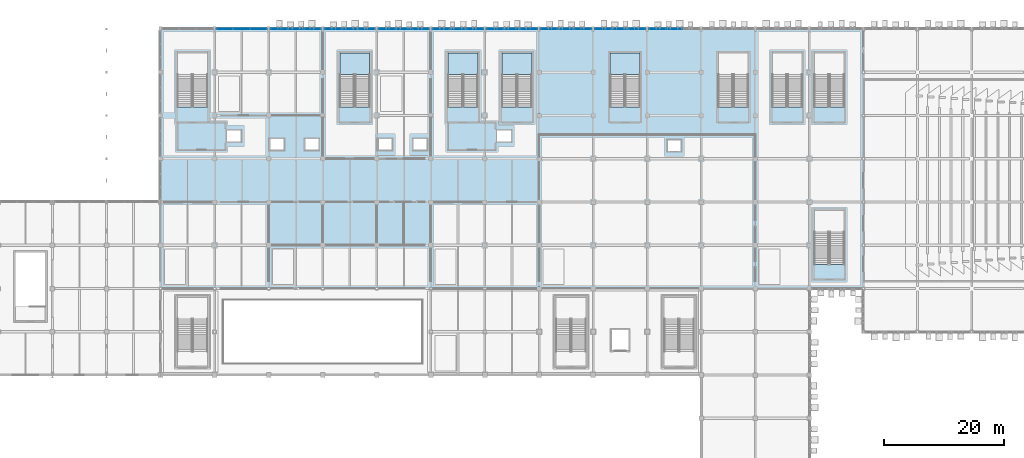
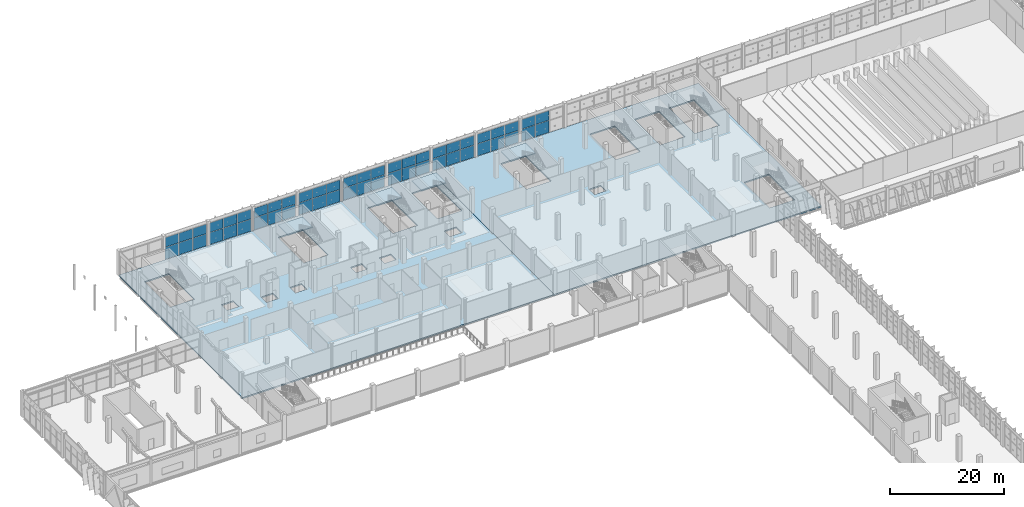
# One storey, part 120 of 189: 52 plates, 6 slabs, 13 elements without a shape of their own.
"""IFC4 building model written with IfcOpenShell, lengths in metres."""

import ifcopenshell
import ifcopenshell.guid

model = None  # the IFC model being written
_history = None  # IfcOwnerHistory: only IFC2X3 demands one
_inside = {}  # id of a spatial element -> (the spatial element, [elements in it])
_under = {}  # id of a project, library or spatial element -> (it, [spatial elements below it])
_declared = {}  # id of a project -> (the project, [libraries it declares])
_typed = {}  # id of a type object -> (the type object, [elements of that type])
_made_of = {}  # id of a material, layer set ... -> (it, [elements and type objects made of it])


def new_model(schema):
    """Start an empty IFC model of exactly this schema.

    Asked for "IFC4X3", IfcOpenShell would pick the latest addendum, in which some entities
    have other attributes; the version numbers below select the first issue.
    IFC2X3 requires an IfcOwnerHistory on every rooted entity: one is made here for all.
    """
    global model, _history
    if schema == "IFC4X3":
        model = ifcopenshell.file(schema_version=(4, 3, 0, 0))
    else:
        model = ifcopenshell.file(schema=schema)
    _inside.clear()
    _under.clear()
    _declared.clear()
    _typed.clear()
    _made_of.clear()
    _history = None
    if model.schema == "IFC2X3":
        org = make("IfcOrganization", Name="unknown")
        user = make(
            "IfcPersonAndOrganization",
            ThePerson=make("IfcPerson", FamilyName="unknown"),
            TheOrganization=org,
        )
        app = make(
            "IfcApplication",
            ApplicationDeveloper=org,
            Version="unknown",
            ApplicationFullName="unknown",
            ApplicationIdentifier="unknown",
        )
        _history = make(
            "IfcOwnerHistory",
            OwningUser=user,
            OwningApplication=app,
            ChangeAction="ADDED",
            CreationDate=0,
        )
    return model


def make(cls, **values):
    """One entity of the class cls with the attributes given. An attribute that is None is left unset."""
    return model.create_entity(
        cls, **{name: value for name, value in values.items() if value is not None}
    )


def rooted(cls, **values):
    """An entity with a GlobalId (a new one), such as an element, a storey or a relation."""
    return make(cls, GlobalId=ifcopenshell.guid.new(), OwnerHistory=_history, **values)


def si_unit(unit_type, name, prefix=None):
    """IfcSIUnit, for example si_unit("LENGTHUNIT", "METRE", prefix="MILLI")."""
    return make("IfcSIUnit", UnitType=unit_type, Prefix=prefix, Name=name)


def assignment(units):
    """IfcUnitAssignment: the units of a project."""
    return None if units is None else make("IfcUnitAssignment", Units=units)


def point(xyz):
    """IfcCartesianPoint."""
    return None if xyz is None else make("IfcCartesianPoint", Coordinates=xyz)


def direction(xyz):
    """IfcDirection."""
    return None if xyz is None else make("IfcDirection", DirectionRatios=xyz)


def frame(location, z_axis=None, x_axis=None):
    """IfcAxis2Placement3D, a coordinate frame: its origin and axes. An axis left out is left unset."""
    return make(
        "IfcAxis2Placement3D",
        Location=point(location),
        Axis=direction(z_axis),
        RefDirection=direction(x_axis),
    )


def frame_2d(location, x_axis=None):
    """IfcAxis2Placement2D, a coordinate frame in the plane: its origin and x axis."""
    return make(
        "IfcAxis2Placement2D", Location=point(location), RefDirection=direction(x_axis)
    )


def origin():
    """The frame at (0, 0, 0) with its axes left unset."""
    return frame((0.0, 0.0, 0.0))


def origin_2d():
    """The frame at (0, 0) in the plane with its x axis left unset."""
    return frame_2d((0.0, 0.0))


def place(relative_to, where):
    """IfcLocalPlacement: puts the frame where relative to a parent placement (None: the world)."""
    return make(
        "IfcLocalPlacement", PlacementRelTo=relative_to, RelativePlacement=where
    )


def context(
    kind, dimensions, precision=None, world=None, true_north=None, identifier=None
):
    """IfcGeometricRepresentationContext, for example the 3D "Model" context."""
    return make(
        "IfcGeometricRepresentationContext",
        ContextIdentifier=identifier,
        ContextType=kind,
        CoordinateSpaceDimension=dimensions,
        Precision=precision,
        WorldCoordinateSystem=world,
        TrueNorth=true_north,
    )


def subcontext(parent, identifier, kind, view, scale=None):
    """IfcGeometricRepresentationSubContext, for example "Body" below "Model"."""
    return make(
        "IfcGeometricRepresentationSubContext",
        ContextIdentifier=identifier,
        ContextType=kind,
        ParentContext=parent,
        TargetScale=scale,
        TargetView=view,
    )


def project(units=None, contexts=None):
    """IfcProject with its units and contexts."""
    return rooted(
        "IfcProject",
        Name="project",
        RepresentationContexts=contexts,
        UnitsInContext=assignment(units),
    )


def spatial(cls, under=None, at=None, **own):
    """A site, building, storey or space (cls), placed at a placement, below another one or the project."""
    s = rooted(cls, ObjectPlacement=at, **own)
    if under is not None:
        _under.setdefault(under.id(), (under, []))[1].append(s)
    return s


def polyline(points):
    """IfcPolyline through the points."""
    return make("IfcPolyline", Points=[point(p) for p in points])


def profile(cls, at=None, kind="AREA", **sizes):
    """A parametric profile (cls). Its sizes go by their IFC names, for example OverallWidth=200.0."""
    return make(cls, ProfileType=kind, Position=at, **sizes)


def rectangle(**sizes):
    """IfcRectangleProfileDef."""
    return profile("IfcRectangleProfileDef", **sizes)


def outline(outer, holes=None, kind="AREA"):
    """IfcArbitraryClosedProfileDef: a profile drawn as a closed curve; with holes, ...WithVoids."""
    if holes is None:
        return make("IfcArbitraryClosedProfileDef", ProfileType=kind, OuterCurve=outer)
    return make(
        "IfcArbitraryProfileDefWithVoids",
        ProfileType=kind,
        OuterCurve=outer,
        InnerCurves=holes,
    )


def extrude(swept, where, along, depth):
    """IfcExtrudedAreaSolid: the profile swept, set in the frame where, extruded along a direction by depth."""
    return make(
        "IfcExtrudedAreaSolid",
        SweptArea=swept,
        Position=where,
        ExtrudedDirection=direction(along),
        Depth=depth,
    )


def shape(context_of_items, identifier, shape_type, items):
    """IfcShapeRepresentation: the items that make up one representation, for example the "Body"."""
    return make(
        "IfcShapeRepresentation",
        ContextOfItems=context_of_items,
        RepresentationIdentifier=identifier,
        RepresentationType=shape_type,
        Items=items,
    )


def material(Name=None, Category=None):
    """IfcMaterial."""
    return make("IfcMaterial", Name=Name, Category=Category)


def layer(
    of_material, thickness, ventilated=None, Name=None, Category=None, Priority=None
):
    """IfcMaterialLayer: one layer of a wall or slab, of a material (None: an air gap)."""
    return make(
        "IfcMaterialLayer",
        Material=of_material,
        LayerThickness=thickness,
        IsVentilated=ventilated,
        Name=Name,
        Category=Category,
        Priority=Priority,
    )


def layer_set(layers, Name=None):
    """IfcMaterialLayerSet."""
    return make("IfcMaterialLayerSet", MaterialLayers=layers, LayerSetName=Name)


def made_of(thing, what):
    """Note that an element or type object is made of a material, layer set ...; save() writes the relation."""
    if what is not None:
        _made_of.setdefault(what.id(), (what, []))[1].append(thing)
    return thing


def type_object(cls, material=None, **own):
    """A type object (cls), such as IfcWallType, which elements share."""
    return made_of(rooted(cls, **own), material)


def element(
    cls,
    number,
    at=None,
    inside=None,
    cuts=None,
    type_object=None,
    material=None,
    context=None,
    identifier="Body",
    shape_type=None,
    held_by="IfcProductDefinitionShape",
    body=None,
    shapes=None,
    **own,
):
    """One element of the class cls, such as IfcWall. Its Tag is "e" and its number.

    at: its placement. inside: the storey or other place that contains it. cuts: it is an
    opening in that element (IfcRelVoidsElement). A single representation is given by context,
    identifier, shape_type and body (its items); several are given by shapes. held_by: the class
    of the entity that holds the representations. save() writes the other relations.
    """
    e = rooted(cls, Tag="e%d" % number, ObjectPlacement=at, **own)
    if body is not None:
        shapes = [shape(context, identifier, shape_type, body)]
    if shapes is not None:
        e.Representation = make(held_by, Representations=shapes)
    if inside is not None:
        _inside.setdefault(inside.id(), (inside, []))[1].append(e)
    if cuts is not None:
        rooted(
            "IfcRelVoidsElement", RelatingBuildingElement=cuts, RelatedOpeningElement=e
        )
    if type_object is not None:
        _typed.setdefault(type_object.id(), (type_object, []))[1].append(e)
    return made_of(e, material)


def aggregate(whole, parts):
    """IfcRelAggregates: a whole, such as a stair, and the parts it consists of."""
    return rooted("IfcRelAggregates", RelatingObject=whole, RelatedObjects=parts)


def save(model, path):
    """Write the relations noted so far, then the file.

    IfcRelAggregates (storeys below a building ...), IfcRelContainedInSpatialStructure (elements
    in a storey), IfcRelDefinesByType, IfcRelAssociatesMaterial and IfcRelDeclares: one each for
    every whole, place, type object, material and project.
    """
    for whole, parts in _under.values():
        aggregate(whole, parts)
    for where, things in _inside.values():
        rooted(
            "IfcRelContainedInSpatialStructure",
            RelatedElements=things,
            RelatingStructure=where,
        )
    for kind, things in _typed.values():
        rooted("IfcRelDefinesByType", RelatedObjects=things, RelatingType=kind)
    for what, things in _made_of.values():
        rooted("IfcRelAssociatesMaterial", RelatedObjects=things, RelatingMaterial=what)
    for by, libraries in _declared.values():
        rooted("IfcRelDeclares", RelatingContext=by, RelatedDefinitions=libraries)
    model.write(path)


model = new_model("IFC4")

# Units and contexts
model_context = context("Model", 3, precision=1e-05, world=origin(), true_north=direction((0.0, 1.0)))
body_context = subcontext(model_context, "Body", "Model", "MODEL_VIEW")
ifc_project = project(units=[si_unit("LENGTHUNIT", "METRE"), si_unit("AREAUNIT", "SQUARE_METRE"), si_unit("VOLUMEUNIT", "CUBIC_METRE"), si_unit("PLANEANGLEUNIT", "RADIAN"), si_unit("MASSUNIT", "GRAM", prefix="KILO")], contexts=[model_context])

# Site, building, storey
site_placement = place(None, origin())
site = spatial("IfcSite", under=ifc_project, at=site_placement, CompositionType="ELEMENT")
building_placement = place(site_placement, origin())
building = spatial("IfcBuilding", under=site, at=building_placement, Name="Celestram Park Convention Centre", CompositionType="ELEMENT")
storey_placement = place(building_placement, frame((0.0, 0.0, 5.39990234375)))
storey = spatial("IfcBuildingStorey", under=building, at=storey_placement, Name="L01", CompositionType="ELEMENT", Elevation=5.39990234375)

# Curtain wall, plates
ifc_material_1 = material(Name="Anodised Aluminium Alloy 6063-T6", Category="aluminium")
ifc_layer_1 = layer(ifc_material_1, 0.179931640625)
ifc_layer_set_1 = layer_set([ifc_layer_1], Name="Anodised Aluminium Alloy 6063-T6")
curtain_wall_type = type_object("IfcCurtainWallType", Name="ARC-CW-850X476", PredefinedType="NOTDEFINED", material=ifc_layer_set_1)
curtain_wall_1_placement = place(storey_placement, origin())
curtain_wall_1 = element("IfcCurtainWall", 1, at=curtain_wall_1_placement, inside=storey, type_object=curtain_wall_type, Name="Unitised curtain wall CU-L01-056", PredefinedType="NOTDEFINED")
ifc_material_2 = material(Name="Insulated Glazing Unit 38 mm", Category="glass")
ifc_layer_2 = layer(ifc_material_2, 0.0380859375)
ifc_layer_set_2 = layer_set([ifc_layer_2], Name="Insulated Glazing Unit 38 mm")
plate_type = type_object("IfcPlateType", Name="ARC-CWP-IGU38", PredefinedType="CURTAIN_PANEL", material=ifc_layer_set_2)
plate_1_placement = place(storey_placement, frame((46.68408203125, 165.60009765625, 0.06494140625), z_axis=(0.0, 0.0, 1.0), x_axis=(1.0, 0.0, 0.0)))
plate_1 = element("IfcPlate", 2, at=plate_1_placement, type_object=plate_type, Name="CW-85X47 panel 1.1", PredefinedType="CURTAIN_PANEL", context=body_context, shape_type="SweptSolid", body=[
    extrude(rectangle(XDim=2.72216796875, YDim=0.0380859375, at=origin_2d()), origin(), (0.0, 0.0, 1.0), 2.552490234375),
])
plate_2_placement = place(storey_placement, frame((46.68408203125, 165.60009765625, 2.6826171875), z_axis=(0.0, 0.0, 1.0), x_axis=(1.0, 0.0, 0.0)))
plate_2 = element("IfcPlate", 3, at=plate_2_placement, type_object=plate_type, Name="CW-85X47 panel 1.2", PredefinedType="CURTAIN_PANEL", context=body_context, shape_type="SweptSolid", body=[
    extrude(rectangle(XDim=2.72216796875, YDim=0.0380859375, at=origin_2d()), origin(), (0.0, 0.0, 1.0), 2.0166015625),
])
plate_3_placement = place(storey_placement, frame((49.5, 165.60009765625, 0.06494140625), z_axis=(0.0, 0.0, 1.0), x_axis=(1.0, 0.0, 0.0)))
plate_3 = element("IfcPlate", 4, at=plate_3_placement, type_object=plate_type, Name="CW-85X47 panel 2.1", PredefinedType="CURTAIN_PANEL", context=body_context, shape_type="SweptSolid", body=[
    extrude(rectangle(XDim=2.759765625, YDim=0.0380859375, at=origin_2d()), origin(), (0.0, 0.0, 1.0), 2.552490234375),
])
plate_4_placement = place(storey_placement, frame((49.5, 165.60009765625, 2.6826171875), z_axis=(0.0, 0.0, 1.0), x_axis=(1.0, 0.0, 0.0)))
plate_4 = element("IfcPlate", 5, at=plate_4_placement, type_object=plate_type, Name="CW-85X47 panel 2.2", PredefinedType="CURTAIN_PANEL", context=body_context, shape_type="SweptSolid", body=[
    extrude(rectangle(XDim=2.759765625, YDim=0.0380859375, at=origin_2d()), origin(), (0.0, 0.0, 1.0), 2.0166015625),
])
plate_5_placement = place(storey_placement, frame((52.31591796875, 165.60009765625, 0.06494140625), z_axis=(0.0, 0.0, 1.0), x_axis=(1.0, 0.0, 0.0)))
plate_5 = element("IfcPlate", 6, at=plate_5_placement, type_object=plate_type, Name="CW-85X47 panel 3.1", PredefinedType="CURTAIN_PANEL", context=body_context, shape_type="SweptSolid", body=[
    extrude(rectangle(XDim=2.72216796875, YDim=0.0380859375, at=origin_2d()), origin(), (0.0, 0.0, 1.0), 2.552490234375),
])
plate_6_placement = place(storey_placement, frame((52.31591796875, 165.60009765625, 2.6826171875), z_axis=(0.0, 0.0, 1.0), x_axis=(1.0, 0.0, 0.0)))
plate_6 = element("IfcPlate", 7, at=plate_6_placement, type_object=plate_type, Name="CW-85X47 panel 3.2", PredefinedType="CURTAIN_PANEL", context=body_context, shape_type="SweptSolid", body=[
    extrude(rectangle(XDim=2.72216796875, YDim=0.0380859375, at=origin_2d()), origin(), (0.0, 0.0, 1.0), 2.0166015625),
])
aggregate(curtain_wall_1, [plate_1, plate_2, plate_3, plate_4, plate_5, plate_6])

curtain_wall_2_placement = place(storey_placement, origin())
curtain_wall_2 = element("IfcCurtainWall", 8, at=curtain_wall_2_placement, inside=storey, type_object=curtain_wall_type, Name="Unitised curtain wall CU-L01-057", PredefinedType="NOTDEFINED")
plate_7_placement = place(storey_placement, frame((55.68408203125, 165.60009765625, 0.06494140625), z_axis=(0.0, 0.0, 1.0), x_axis=(1.0, 0.0, 0.0)))
plate_7 = element("IfcPlate", 9, at=plate_7_placement, type_object=plate_type, Name="CW-85X47 panel 1.1", PredefinedType="CURTAIN_PANEL", context=body_context, shape_type="SweptSolid", body=[
    extrude(rectangle(XDim=2.72216796875, YDim=0.0380859375, at=origin_2d()), origin(), (0.0, 0.0, 1.0), 2.552490234375),
])
plate_8_placement = place(storey_placement, frame((55.68408203125, 165.60009765625, 2.6826171875), z_axis=(0.0, 0.0, 1.0), x_axis=(1.0, 0.0, 0.0)))
plate_8 = element("IfcPlate", 10, at=plate_8_placement, type_object=plate_type, Name="CW-85X47 panel 1.2", PredefinedType="CURTAIN_PANEL", context=body_context, shape_type="SweptSolid", body=[
    extrude(rectangle(XDim=2.72216796875, YDim=0.0380859375, at=origin_2d()), origin(), (0.0, 0.0, 1.0), 2.0166015625),
])
plate_9_placement = place(storey_placement, frame((58.5, 165.60009765625, 0.06494140625), z_axis=(0.0, 0.0, 1.0), x_axis=(1.0, 0.0, 0.0)))
plate_9 = element("IfcPlate", 11, at=plate_9_placement, type_object=plate_type, Name="CW-85X47 panel 2.1", PredefinedType="CURTAIN_PANEL", context=body_context, shape_type="SweptSolid", body=[
    extrude(rectangle(XDim=2.759765625, YDim=0.0380859375, at=origin_2d()), origin(), (0.0, 0.0, 1.0), 2.552490234375),
])
plate_10_placement = place(storey_placement, frame((58.5, 165.60009765625, 2.6826171875), z_axis=(0.0, 0.0, 1.0), x_axis=(1.0, 0.0, 0.0)))
plate_10 = element("IfcPlate", 12, at=plate_10_placement, type_object=plate_type, Name="CW-85X47 panel 2.2", PredefinedType="CURTAIN_PANEL", context=body_context, shape_type="SweptSolid", body=[
    extrude(rectangle(XDim=2.759765625, YDim=0.0380859375, at=origin_2d()), origin(), (0.0, 0.0, 1.0), 2.0166015625),
])
plate_11_placement = place(storey_placement, frame((61.31591796875, 165.60009765625, 0.06494140625), z_axis=(0.0, 0.0, 1.0), x_axis=(1.0, 0.0, 0.0)))
plate_11 = element("IfcPlate", 13, at=plate_11_placement, type_object=plate_type, Name="CW-85X47 panel 3.1", PredefinedType="CURTAIN_PANEL", context=body_context, shape_type="SweptSolid", body=[
    extrude(rectangle(XDim=2.72216796875, YDim=0.0380859375, at=origin_2d()), origin(), (0.0, 0.0, 1.0), 2.552490234375),
])
plate_12_placement = place(storey_placement, frame((61.31591796875, 165.60009765625, 2.6826171875), z_axis=(0.0, 0.0, 1.0), x_axis=(1.0, 0.0, 0.0)))
plate_12 = element("IfcPlate", 14, at=plate_12_placement, type_object=plate_type, Name="CW-85X47 panel 3.2", PredefinedType="CURTAIN_PANEL", context=body_context, shape_type="SweptSolid", body=[
    extrude(rectangle(XDim=2.72216796875, YDim=0.0380859375, at=origin_2d()), origin(), (0.0, 0.0, 1.0), 2.0166015625),
])
aggregate(curtain_wall_2, [plate_7, plate_8, plate_9, plate_10, plate_11, plate_12])

curtain_wall_3_placement = place(storey_placement, origin())
curtain_wall_3 = element("IfcCurtainWall", 15, at=curtain_wall_3_placement, inside=storey, type_object=curtain_wall_type, Name="Unitised curtain wall CU-L01-058", PredefinedType="NOTDEFINED")
plate_13_placement = place(storey_placement, frame((64.68408203125, 165.60009765625, 0.06494140625), z_axis=(0.0, 0.0, 1.0), x_axis=(1.0, 0.0, 0.0)))
plate_13 = element("IfcPlate", 16, at=plate_13_placement, type_object=plate_type, Name="CW-85X47 panel 1.1", PredefinedType="CURTAIN_PANEL", context=body_context, shape_type="SweptSolid", body=[
    extrude(rectangle(XDim=2.72216796875, YDim=0.0380859375, at=origin_2d()), origin(), (0.0, 0.0, 1.0), 2.552490234375),
])
plate_14_placement = place(storey_placement, frame((64.68408203125, 165.60009765625, 2.6826171875), z_axis=(0.0, 0.0, 1.0), x_axis=(1.0, 0.0, 0.0)))
plate_14 = element("IfcPlate", 17, at=plate_14_placement, type_object=plate_type, Name="CW-85X47 panel 1.2", PredefinedType="CURTAIN_PANEL", context=body_context, shape_type="SweptSolid", body=[
    extrude(rectangle(XDim=2.72216796875, YDim=0.0380859375, at=origin_2d()), origin(), (0.0, 0.0, 1.0), 2.0166015625),
])
plate_15_placement = place(storey_placement, frame((67.5, 165.60009765625, 0.06494140625), z_axis=(0.0, 0.0, 1.0), x_axis=(1.0, 0.0, 0.0)))
plate_15 = element("IfcPlate", 18, at=plate_15_placement, type_object=plate_type, Name="CW-85X47 panel 2.1", PredefinedType="CURTAIN_PANEL", context=body_context, shape_type="SweptSolid", body=[
    extrude(rectangle(XDim=2.759765625, YDim=0.0380859375, at=origin_2d()), origin(), (0.0, 0.0, 1.0), 2.552490234375),
])
plate_16_placement = place(storey_placement, frame((67.5, 165.60009765625, 2.6826171875), z_axis=(0.0, 0.0, 1.0), x_axis=(1.0, 0.0, 0.0)))
plate_16 = element("IfcPlate", 19, at=plate_16_placement, type_object=plate_type, Name="CW-85X47 panel 2.2", PredefinedType="CURTAIN_PANEL", context=body_context, shape_type="SweptSolid", body=[
    extrude(rectangle(XDim=2.759765625, YDim=0.0380859375, at=origin_2d()), origin(), (0.0, 0.0, 1.0), 2.0166015625),
])
plate_17_placement = place(storey_placement, frame((70.31591796875, 165.60009765625, 0.06494140625), z_axis=(0.0, 0.0, 1.0), x_axis=(1.0, 0.0, 0.0)))
plate_17 = element("IfcPlate", 20, at=plate_17_placement, type_object=plate_type, Name="CW-85X47 panel 3.1", PredefinedType="CURTAIN_PANEL", context=body_context, shape_type="SweptSolid", body=[
    extrude(rectangle(XDim=2.72216796875, YDim=0.0380859375, at=origin_2d()), origin(), (0.0, 0.0, 1.0), 2.552490234375),
])
plate_18_placement = place(storey_placement, frame((70.31591796875, 165.60009765625, 2.6826171875), z_axis=(0.0, 0.0, 1.0), x_axis=(1.0, 0.0, 0.0)))
plate_18 = element("IfcPlate", 21, at=plate_18_placement, type_object=plate_type, Name="CW-85X47 panel 3.2", PredefinedType="CURTAIN_PANEL", context=body_context, shape_type="SweptSolid", body=[
    extrude(rectangle(XDim=2.72216796875, YDim=0.0380859375, at=origin_2d()), origin(), (0.0, 0.0, 1.0), 2.0166015625),
])
aggregate(curtain_wall_3, [plate_13, plate_14, plate_15, plate_16, plate_17, plate_18])

curtain_wall_4_placement = place(storey_placement, origin())
curtain_wall_4 = element("IfcCurtainWall", 22, at=curtain_wall_4_placement, inside=storey, type_object=curtain_wall_type, Name="Unitised curtain wall CU-L01-059", PredefinedType="NOTDEFINED")
plate_19_placement = place(storey_placement, frame((73.68408203125, 165.60009765625, 0.06494140625), z_axis=(0.0, 0.0, 1.0), x_axis=(1.0, 0.0, 0.0)))
plate_19 = element("IfcPlate", 23, at=plate_19_placement, type_object=plate_type, Name="CW-85X47 panel 1.1", PredefinedType="CURTAIN_PANEL", context=body_context, shape_type="SweptSolid", body=[
    extrude(rectangle(XDim=2.72216796875, YDim=0.0380859375, at=origin_2d()), origin(), (0.0, 0.0, 1.0), 2.552490234375),
])
plate_20_placement = place(storey_placement, frame((73.68408203125, 165.60009765625, 2.6826171875), z_axis=(0.0, 0.0, 1.0), x_axis=(1.0, 0.0, 0.0)))
plate_20 = element("IfcPlate", 24, at=plate_20_placement, type_object=plate_type, Name="CW-85X47 panel 1.2", PredefinedType="CURTAIN_PANEL", context=body_context, shape_type="SweptSolid", body=[
    extrude(rectangle(XDim=2.72216796875, YDim=0.0380859375, at=origin_2d()), origin(), (0.0, 0.0, 1.0), 2.0166015625),
])
plate_21_placement = place(storey_placement, frame((76.5, 165.60009765625, 0.06494140625), z_axis=(0.0, 0.0, 1.0), x_axis=(1.0, 0.0, 0.0)))
plate_21 = element("IfcPlate", 25, at=plate_21_placement, type_object=plate_type, Name="CW-85X47 panel 2.1", PredefinedType="CURTAIN_PANEL", context=body_context, shape_type="SweptSolid", body=[
    extrude(rectangle(XDim=2.759765625, YDim=0.0380859375, at=origin_2d()), origin(), (0.0, 0.0, 1.0), 2.552490234375),
])
plate_22_placement = place(storey_placement, frame((76.5, 165.60009765625, 2.6826171875), z_axis=(0.0, 0.0, 1.0), x_axis=(1.0, 0.0, 0.0)))
plate_22 = element("IfcPlate", 26, at=plate_22_placement, type_object=plate_type, Name="CW-85X47 panel 2.2", PredefinedType="CURTAIN_PANEL", context=body_context, shape_type="SweptSolid", body=[
    extrude(rectangle(XDim=2.759765625, YDim=0.0380859375, at=origin_2d()), origin(), (0.0, 0.0, 1.0), 2.0166015625),
])
plate_23_placement = place(storey_placement, frame((79.31591796875, 165.60009765625, 0.06494140625), z_axis=(0.0, 0.0, 1.0), x_axis=(1.0, 0.0, 0.0)))
plate_23 = element("IfcPlate", 27, at=plate_23_placement, type_object=plate_type, Name="CW-85X47 panel 3.1", PredefinedType="CURTAIN_PANEL", context=body_context, shape_type="SweptSolid", body=[
    extrude(rectangle(XDim=2.72216796875, YDim=0.0380859375, at=origin_2d()), origin(), (0.0, 0.0, 1.0), 2.552490234375),
])
plate_24_placement = place(storey_placement, frame((79.31591796875, 165.60009765625, 2.6826171875), z_axis=(0.0, 0.0, 1.0), x_axis=(1.0, 0.0, 0.0)))
plate_24 = element("IfcPlate", 28, at=plate_24_placement, type_object=plate_type, Name="CW-85X47 panel 3.2", PredefinedType="CURTAIN_PANEL", context=body_context, shape_type="SweptSolid", body=[
    extrude(rectangle(XDim=2.72216796875, YDim=0.0380859375, at=origin_2d()), origin(), (0.0, 0.0, 1.0), 2.0166015625),
])
aggregate(curtain_wall_4, [plate_19, plate_20, plate_21, plate_22, plate_23, plate_24])

curtain_wall_5_placement = place(storey_placement, origin())
curtain_wall_5 = element("IfcCurtainWall", 29, at=curtain_wall_5_placement, inside=storey, type_object=curtain_wall_type, Name="Unitised curtain wall CU-L01-060", PredefinedType="NOTDEFINED")
plate_25_placement = place(storey_placement, frame((82.68408203125, 165.60009765625, 0.06494140625), z_axis=(0.0, 0.0, 1.0), x_axis=(1.0, 0.0, 0.0)))
plate_25 = element("IfcPlate", 30, at=plate_25_placement, type_object=plate_type, Name="CW-85X47 panel 1.1", PredefinedType="CURTAIN_PANEL", context=body_context, shape_type="SweptSolid", body=[
    extrude(rectangle(XDim=2.72216796875, YDim=0.0380859375, at=origin_2d()), origin(), (0.0, 0.0, 1.0), 2.552490234375),
])
plate_26_placement = place(storey_placement, frame((82.68408203125, 165.60009765625, 2.6826171875), z_axis=(0.0, 0.0, 1.0), x_axis=(1.0, 0.0, 0.0)))
plate_26 = element("IfcPlate", 31, at=plate_26_placement, type_object=plate_type, Name="CW-85X47 panel 1.2", PredefinedType="CURTAIN_PANEL", context=body_context, shape_type="SweptSolid", body=[
    extrude(rectangle(XDim=2.72216796875, YDim=0.0380859375, at=origin_2d()), origin(), (0.0, 0.0, 1.0), 2.0166015625),
])
plate_27_placement = place(storey_placement, frame((85.5, 165.60009765625, 0.06494140625), z_axis=(0.0, 0.0, 1.0), x_axis=(1.0, 0.0, 0.0)))
plate_27 = element("IfcPlate", 32, at=plate_27_placement, type_object=plate_type, Name="CW-85X47 panel 2.1", PredefinedType="CURTAIN_PANEL", context=body_context, shape_type="SweptSolid", body=[
    extrude(rectangle(XDim=2.759765625, YDim=0.0380859375, at=origin_2d()), origin(), (0.0, 0.0, 1.0), 2.552490234375),
])
plate_28_placement = place(storey_placement, frame((85.5, 165.60009765625, 2.6826171875), z_axis=(0.0, 0.0, 1.0), x_axis=(1.0, 0.0, 0.0)))
plate_28 = element("IfcPlate", 33, at=plate_28_placement, type_object=plate_type, Name="CW-85X47 panel 2.2", PredefinedType="CURTAIN_PANEL", context=body_context, shape_type="SweptSolid", body=[
    extrude(rectangle(XDim=2.759765625, YDim=0.0380859375, at=origin_2d()), origin(), (0.0, 0.0, 1.0), 2.0166015625),
])
plate_29_placement = place(storey_placement, frame((88.31591796875, 165.60009765625, 0.06494140625), z_axis=(0.0, 0.0, 1.0), x_axis=(1.0, 0.0, 0.0)))
plate_29 = element("IfcPlate", 34, at=plate_29_placement, type_object=plate_type, Name="CW-85X47 panel 3.1", PredefinedType="CURTAIN_PANEL", context=body_context, shape_type="SweptSolid", body=[
    extrude(rectangle(XDim=2.72216796875, YDim=0.0380859375, at=origin_2d()), origin(), (0.0, 0.0, 1.0), 2.552490234375),
])
plate_30_placement = place(storey_placement, frame((88.31591796875, 165.60009765625, 2.6826171875), z_axis=(0.0, 0.0, 1.0), x_axis=(1.0, 0.0, 0.0)))
plate_30 = element("IfcPlate", 35, at=plate_30_placement, type_object=plate_type, Name="CW-85X47 panel 3.2", PredefinedType="CURTAIN_PANEL", context=body_context, shape_type="SweptSolid", body=[
    extrude(rectangle(XDim=2.72216796875, YDim=0.0380859375, at=origin_2d()), origin(), (0.0, 0.0, 1.0), 2.0166015625),
])
aggregate(curtain_wall_5, [plate_25, plate_26, plate_27, plate_28, plate_29, plate_30])

curtain_wall_6_placement = place(storey_placement, origin())
curtain_wall_6 = element("IfcCurtainWall", 36, at=curtain_wall_6_placement, inside=storey, type_object=curtain_wall_type, Name="Unitised curtain wall CU-L01-061", PredefinedType="NOTDEFINED")
plate_31_placement = place(storey_placement, frame((91.68408203125, 165.60009765625, 0.06494140625), z_axis=(0.0, 0.0, 1.0), x_axis=(1.0, 0.0, 0.0)))
plate_31 = element("IfcPlate", 37, at=plate_31_placement, type_object=plate_type, Name="CW-85X47 panel 1.1", PredefinedType="CURTAIN_PANEL", context=body_context, shape_type="SweptSolid", body=[
    extrude(rectangle(XDim=2.72216796875, YDim=0.0380859375, at=origin_2d()), origin(), (0.0, 0.0, 1.0), 2.552490234375),
])
plate_32_placement = place(storey_placement, frame((91.68408203125, 165.60009765625, 2.6826171875), z_axis=(0.0, 0.0, 1.0), x_axis=(1.0, 0.0, 0.0)))
plate_32 = element("IfcPlate", 38, at=plate_32_placement, type_object=plate_type, Name="CW-85X47 panel 1.2", PredefinedType="CURTAIN_PANEL", context=body_context, shape_type="SweptSolid", body=[
    extrude(rectangle(XDim=2.72216796875, YDim=0.0380859375, at=origin_2d()), origin(), (0.0, 0.0, 1.0), 2.0166015625),
])
plate_33_placement = place(storey_placement, frame((94.5, 165.60009765625, 0.06494140625), z_axis=(0.0, 0.0, 1.0), x_axis=(1.0, 0.0, 0.0)))
plate_33 = element("IfcPlate", 39, at=plate_33_placement, type_object=plate_type, Name="CW-85X47 panel 2.1", PredefinedType="CURTAIN_PANEL", context=body_context, shape_type="SweptSolid", body=[
    extrude(rectangle(XDim=2.759765625, YDim=0.0380859375, at=origin_2d()), origin(), (0.0, 0.0, 1.0), 2.552490234375),
])
plate_34_placement = place(storey_placement, frame((94.5, 165.60009765625, 2.6826171875), z_axis=(0.0, 0.0, 1.0), x_axis=(1.0, 0.0, 0.0)))
plate_34 = element("IfcPlate", 40, at=plate_34_placement, type_object=plate_type, Name="CW-85X47 panel 2.2", PredefinedType="CURTAIN_PANEL", context=body_context, shape_type="SweptSolid", body=[
    extrude(rectangle(XDim=2.759765625, YDim=0.0380859375, at=origin_2d()), origin(), (0.0, 0.0, 1.0), 2.0166015625),
])
plate_35_placement = place(storey_placement, frame((97.31591796875, 165.60009765625, 0.06494140625), z_axis=(0.0, 0.0, 1.0), x_axis=(1.0, 0.0, 0.0)))
plate_35 = element("IfcPlate", 41, at=plate_35_placement, type_object=plate_type, Name="CW-85X47 panel 3.1", PredefinedType="CURTAIN_PANEL", context=body_context, shape_type="SweptSolid", body=[
    extrude(rectangle(XDim=2.72216796875, YDim=0.0380859375, at=origin_2d()), origin(), (0.0, 0.0, 1.0), 2.552490234375),
])
plate_36_placement = place(storey_placement, frame((97.31591796875, 165.60009765625, 2.6826171875), z_axis=(0.0, 0.0, 1.0), x_axis=(1.0, 0.0, 0.0)))
plate_36 = element("IfcPlate", 42, at=plate_36_placement, type_object=plate_type, Name="CW-85X47 panel 3.2", PredefinedType="CURTAIN_PANEL", context=body_context, shape_type="SweptSolid", body=[
    extrude(rectangle(XDim=2.72216796875, YDim=0.0380859375, at=origin_2d()), origin(), (0.0, 0.0, 1.0), 2.0166015625),
])
aggregate(curtain_wall_6, [plate_31, plate_32, plate_33, plate_34, plate_35, plate_36])

curtain_wall_7_placement = place(storey_placement, origin())
curtain_wall_7 = element("IfcCurtainWall", 43, at=curtain_wall_7_placement, inside=storey, type_object=curtain_wall_type, Name="Unitised curtain wall CU-L01-062", PredefinedType="NOTDEFINED")
plate_37_placement = place(storey_placement, frame((100.68408203125, 165.60009765625, 0.06494140625), z_axis=(0.0, 0.0, 1.0), x_axis=(1.0, 0.0, 0.0)))
plate_37 = element("IfcPlate", 44, at=plate_37_placement, type_object=plate_type, Name="CW-85X47 panel 1.1", PredefinedType="CURTAIN_PANEL", context=body_context, shape_type="SweptSolid", body=[
    extrude(rectangle(XDim=2.72216796875, YDim=0.0380859375, at=origin_2d()), origin(), (0.0, 0.0, 1.0), 2.552490234375),
])
plate_38_placement = place(storey_placement, frame((100.68408203125, 165.60009765625, 2.6826171875), z_axis=(0.0, 0.0, 1.0), x_axis=(1.0, 0.0, 0.0)))
plate_38 = element("IfcPlate", 45, at=plate_38_placement, type_object=plate_type, Name="CW-85X47 panel 1.2", PredefinedType="CURTAIN_PANEL", context=body_context, shape_type="SweptSolid", body=[
    extrude(rectangle(XDim=2.72216796875, YDim=0.0380859375, at=origin_2d()), origin(), (0.0, 0.0, 1.0), 2.0166015625),
])
plate_39_placement = place(storey_placement, frame((103.5, 165.60009765625, 0.06494140625), z_axis=(0.0, 0.0, 1.0), x_axis=(1.0, 0.0, 0.0)))
plate_39 = element("IfcPlate", 46, at=plate_39_placement, type_object=plate_type, Name="CW-85X47 panel 2.1", PredefinedType="CURTAIN_PANEL", context=body_context, shape_type="SweptSolid", body=[
    extrude(rectangle(XDim=2.759765625, YDim=0.0380859375, at=origin_2d()), origin(), (0.0, 0.0, 1.0), 2.552490234375),
])
plate_40_placement = place(storey_placement, frame((103.5, 165.60009765625, 2.6826171875), z_axis=(0.0, 0.0, 1.0), x_axis=(1.0, 0.0, 0.0)))
plate_40 = element("IfcPlate", 47, at=plate_40_placement, type_object=plate_type, Name="CW-85X47 panel 2.2", PredefinedType="CURTAIN_PANEL", context=body_context, shape_type="SweptSolid", body=[
    extrude(rectangle(XDim=2.759765625, YDim=0.0380859375, at=origin_2d()), origin(), (0.0, 0.0, 1.0), 2.0166015625),
])
plate_41_placement = place(storey_placement, frame((106.31591796875, 165.60009765625, 0.06494140625), z_axis=(0.0, 0.0, 1.0), x_axis=(1.0, 0.0, 0.0)))
plate_41 = element("IfcPlate", 48, at=plate_41_placement, type_object=plate_type, Name="CW-85X47 panel 3.1", PredefinedType="CURTAIN_PANEL", context=body_context, shape_type="SweptSolid", body=[
    extrude(rectangle(XDim=2.72216796875, YDim=0.0380859375, at=origin_2d()), origin(), (0.0, 0.0, 1.0), 2.552490234375),
])
plate_42_placement = place(storey_placement, frame((106.31591796875, 165.60009765625, 2.6826171875), z_axis=(0.0, 0.0, 1.0), x_axis=(1.0, 0.0, 0.0)))
plate_42 = element("IfcPlate", 49, at=plate_42_placement, type_object=plate_type, Name="CW-85X47 panel 3.2", PredefinedType="CURTAIN_PANEL", context=body_context, shape_type="SweptSolid", body=[
    extrude(rectangle(XDim=2.72216796875, YDim=0.0380859375, at=origin_2d()), origin(), (0.0, 0.0, 1.0), 2.0166015625),
])
aggregate(curtain_wall_7, [plate_37, plate_38, plate_39, plate_40, plate_41, plate_42])

curtain_wall_8_placement = place(storey_placement, origin())
curtain_wall_8 = element("IfcCurtainWall", 50, at=curtain_wall_8_placement, inside=storey, type_object=curtain_wall_type, Name="Unitised curtain wall CU-L01-063", PredefinedType="NOTDEFINED")
plate_43_placement = place(storey_placement, frame((109.68408203125, 165.60009765625, 0.06494140625), z_axis=(0.0, 0.0, 1.0), x_axis=(1.0, 0.0, 0.0)))
plate_43 = element("IfcPlate", 51, at=plate_43_placement, type_object=plate_type, Name="CW-85X47 panel 1.1", PredefinedType="CURTAIN_PANEL", context=body_context, shape_type="SweptSolid", body=[
    extrude(rectangle(XDim=2.72216796875, YDim=0.0380859375, at=origin_2d()), origin(), (0.0, 0.0, 1.0), 2.552490234375),
])
plate_44_placement = place(storey_placement, frame((109.68408203125, 165.60009765625, 2.6826171875), z_axis=(0.0, 0.0, 1.0), x_axis=(1.0, 0.0, 0.0)))
plate_44 = element("IfcPlate", 52, at=plate_44_placement, type_object=plate_type, Name="CW-85X47 panel 1.2", PredefinedType="CURTAIN_PANEL", context=body_context, shape_type="SweptSolid", body=[
    extrude(rectangle(XDim=2.72216796875, YDim=0.0380859375, at=origin_2d()), origin(), (0.0, 0.0, 1.0), 2.0166015625),
])
plate_45_placement = place(storey_placement, frame((112.5, 165.60009765625, 0.06494140625), z_axis=(0.0, 0.0, 1.0), x_axis=(1.0, 0.0, 0.0)))
plate_45 = element("IfcPlate", 53, at=plate_45_placement, type_object=plate_type, Name="CW-85X47 panel 2.1", PredefinedType="CURTAIN_PANEL", context=body_context, shape_type="SweptSolid", body=[
    extrude(rectangle(XDim=2.759765625, YDim=0.0380859375, at=origin_2d()), origin(), (0.0, 0.0, 1.0), 2.552490234375),
])
plate_46_placement = place(storey_placement, frame((112.5, 165.60009765625, 2.6826171875), z_axis=(0.0, 0.0, 1.0), x_axis=(1.0, 0.0, 0.0)))
plate_46 = element("IfcPlate", 54, at=plate_46_placement, type_object=plate_type, Name="CW-85X47 panel 2.2", PredefinedType="CURTAIN_PANEL", context=body_context, shape_type="SweptSolid", body=[
    extrude(rectangle(XDim=2.759765625, YDim=0.0380859375, at=origin_2d()), origin(), (0.0, 0.0, 1.0), 2.0166015625),
])
plate_47_placement = place(storey_placement, frame((115.31591796875, 165.60009765625, 0.06494140625), z_axis=(0.0, 0.0, 1.0), x_axis=(1.0, 0.0, 0.0)))
plate_47 = element("IfcPlate", 55, at=plate_47_placement, type_object=plate_type, Name="CW-85X47 panel 3.1", PredefinedType="CURTAIN_PANEL", context=body_context, shape_type="SweptSolid", body=[
    extrude(rectangle(XDim=2.72216796875, YDim=0.0380859375, at=origin_2d()), origin(), (0.0, 0.0, 1.0), 2.552490234375),
])
plate_48_placement = place(storey_placement, frame((115.31591796875, 165.60009765625, 2.6826171875), z_axis=(0.0, 0.0, 1.0), x_axis=(1.0, 0.0, 0.0)))
plate_48 = element("IfcPlate", 56, at=plate_48_placement, type_object=plate_type, Name="CW-85X47 panel 3.2", PredefinedType="CURTAIN_PANEL", context=body_context, shape_type="SweptSolid", body=[
    extrude(rectangle(XDim=2.72216796875, YDim=0.0380859375, at=origin_2d()), origin(), (0.0, 0.0, 1.0), 2.0166015625),
])
aggregate(curtain_wall_8, [plate_43, plate_44, plate_45, plate_46, plate_47, plate_48])

curtain_wall_9_placement = place(storey_placement, origin())
curtain_wall_9 = element("IfcCurtainWall", 57, at=curtain_wall_9_placement, inside=storey, type_object=curtain_wall_type, Name="Unitised curtain wall CU-L01-064", PredefinedType="NOTDEFINED")
plate_49_placement = place(storey_placement, frame((118.68408203125, 165.60009765625, 0.06494140625), z_axis=(0.0, 0.0, 1.0), x_axis=(1.0, 0.0, 0.0)))
plate_49 = element("IfcPlate", 58, at=plate_49_placement, type_object=plate_type, Name="CW-85X47 panel 1.1", PredefinedType="CURTAIN_PANEL", context=body_context, shape_type="SweptSolid", body=[
    extrude(rectangle(XDim=2.72216796875, YDim=0.0380859375, at=origin_2d()), origin(), (0.0, 0.0, 1.0), 2.552490234375),
])
plate_50_placement = place(storey_placement, frame((118.68408203125, 165.60009765625, 2.6826171875), z_axis=(0.0, 0.0, 1.0), x_axis=(1.0, 0.0, 0.0)))
plate_50 = element("IfcPlate", 59, at=plate_50_placement, type_object=plate_type, Name="CW-85X47 panel 1.2", PredefinedType="CURTAIN_PANEL", context=body_context, shape_type="SweptSolid", body=[
    extrude(rectangle(XDim=2.72216796875, YDim=0.0380859375, at=origin_2d()), origin(), (0.0, 0.0, 1.0), 2.0166015625),
])
plate_51_placement = place(storey_placement, frame((121.5, 165.60009765625, 0.06494140625), z_axis=(0.0, 0.0, 1.0), x_axis=(1.0, 0.0, 0.0)))
plate_51 = element("IfcPlate", 60, at=plate_51_placement, type_object=plate_type, Name="CW-85X47 panel 2.1", PredefinedType="CURTAIN_PANEL", context=body_context, shape_type="SweptSolid", body=[
    extrude(rectangle(XDim=2.759765625, YDim=0.0380859375, at=origin_2d()), origin(), (0.0, 0.0, 1.0), 2.552490234375),
])
plate_52_placement = place(storey_placement, frame((121.5, 165.60009765625, 2.6826171875), z_axis=(0.0, 0.0, 1.0), x_axis=(1.0, 0.0, 0.0)))
plate_52 = element("IfcPlate", 61, at=plate_52_placement, type_object=plate_type, Name="CW-85X47 panel 2.2", PredefinedType="CURTAIN_PANEL", context=body_context, shape_type="SweptSolid", body=[
    extrude(rectangle(XDim=2.759765625, YDim=0.0380859375, at=origin_2d()), origin(), (0.0, 0.0, 1.0), 2.0166015625),
])
aggregate(curtain_wall_9, [plate_49, plate_50, plate_51, plate_52])

# Slabs
ifc_material_3 = material(Name="Concrete C35/45", Category="concrete")
ifc_layer_3 = layer(ifc_material_3, 0.280029296875)
ifc_layer_set_3 = layer_set([ifc_layer_3], Name="Concrete C35/45")
slab_type_1 = type_object("IfcSlabType", Name="STR-SLB-FLR280", PredefinedType="FLOOR", material=ifc_layer_set_3)
slab_1_placement = place(storey_placement, frame((0.0, 0.0, -0.27978515625)))
element("IfcSlab", 62, at=slab_1_placement, inside=storey, type_object=slab_type_1, Name="Floor slab L01-MTG", PredefinedType="FLOOR", context=body_context, shape_type="SweptSolid", body=[
    extrude(outline(polyline([(36.0, 122.39990234375), (36.0, 165.60009765625), (99.0, 165.60009765625), (99.0, 122.39990234375), (36.0, 122.39990234375)]), holes=[polyline([(54.25, 145.449951171875), (56.550048828125, 145.449951171875), (56.550048828125, 147.35009765625), (54.25, 147.35009765625), (54.25, 145.449951171875)]), polyline([(60.050048828125, 145.449951171875), (62.35009765625, 145.449951171875), (62.35009765625, 147.35009765625), (60.050048828125, 147.35009765625), (60.050048828125, 145.449951171875)]), polyline([(72.25, 145.449951171875), (74.550048828125, 145.449951171875), (74.550048828125, 147.35009765625), (72.25, 147.35009765625), (72.25, 145.449951171875)]), polyline([(78.050048828125, 145.449951171875), (80.35009765625, 145.449951171875), (80.35009765625, 147.35009765625), (78.050048828125, 147.35009765625), (78.050048828125, 145.449951171875)]), polyline([(47.0, 146.824951171875), (49.39990234375, 146.824951171875), (49.39990234375, 148.77490234375), (47.0, 148.77490234375), (47.0, 146.824951171875)]), polyline([(92.0, 146.824951171875), (94.39990234375, 146.824951171875), (94.39990234375, 148.77490234375), (92.0, 148.77490234375), (92.0, 146.824951171875)]), polyline([(43.800048828125, 152.60595703125), (43.800048828125, 161.60009765625), (38.840087890625, 161.60009765625), (38.840087890625, 152.60595703125), (43.800048828125, 152.60595703125)]), polyline([(70.800048828125, 152.60595703125), (70.800048828125, 161.60009765625), (65.840087890625, 161.60009765625), (65.840087890625, 152.60595703125), (70.800048828125, 152.60595703125)]), polyline([(88.800048828125, 152.60595703125), (88.800048828125, 161.60009765625), (83.840087890625, 161.60009765625), (83.840087890625, 152.60595703125), (88.800048828125, 152.60595703125)]), polyline([(97.800048828125, 152.60595703125), (97.800048828125, 161.60009765625), (92.840087890625, 161.60009765625), (92.840087890625, 152.60595703125), (97.800048828125, 152.60595703125)])]), origin(), (0.0, 0.0, 1.0), 0.27978515625),
])
slab_2_placement = place(storey_placement, frame((0.0, 0.0, -0.27978515625)))
element("IfcSlab", 63, at=slab_2_placement, inside=storey, type_object=slab_type_1, Name="Floor slab L01-RST", PredefinedType="FLOOR", context=body_context, shape_type="SweptSolid", body=[
    extrude(outline(polyline([(99.0, 122.39990234375), (99.0, 165.60009765625), (153.0, 165.60009765625), (153.0, 122.39990234375), (99.0, 122.39990234375)]), holes=[polyline([(115.800048828125, 152.60595703125), (115.800048828125, 161.60009765625), (110.840087890625, 161.60009765625), (110.840087890625, 152.60595703125), (115.800048828125, 152.60595703125)]), polyline([(149.800048828125, 126.406005859375), (149.800048828125, 135.39990234375), (144.840087890625, 135.39990234375), (144.840087890625, 126.406005859375), (149.800048828125, 126.406005859375)]), polyline([(120.35009765625, 145.25), (122.64990234375, 145.25), (122.64990234375, 147.14990234375), (120.35009765625, 147.14990234375), (120.35009765625, 145.25)]), polyline([(133.800048828125, 152.60595703125), (133.800048828125, 161.60009765625), (128.840087890625, 161.60009765625), (128.840087890625, 152.60595703125), (133.800048828125, 152.60595703125)]), polyline([(142.800048828125, 152.60595703125), (142.800048828125, 161.60009765625), (137.840087890625, 161.60009765625), (137.840087890625, 152.60595703125), (142.800048828125, 152.60595703125)]), polyline([(149.800048828125, 152.60595703125), (149.800048828125, 161.60009765625), (144.840087890625, 161.60009765625), (144.840087890625, 152.60595703125), (149.800048828125, 152.60595703125)])]), origin(), (0.0, 0.0, 1.0), 0.27978515625),
])

# Stair, slab
ifc_material_4 = material(Name="Precast Concrete C40/50", Category="concrete")
stair_type = type_object("IfcStairType", Name="ARC-STR-DOG54", PredefinedType="HALF_TURN_STAIR", material=ifc_material_4)
stair_1_placement = place(storey_placement, origin())
stair_1 = element("IfcStair", 64, at=stair_1_placement, inside=storey, type_object=stair_type, Name="L01 Core C2 stair ST-02", PredefinedType="HALF_TURN_STAIR")
ifc_layer_4 = layer(ifc_material_3, 0.199951171875)
ifc_layer_set_4 = layer_set([ifc_layer_4], Name="Concrete C35/45")
slab_type_2 = type_object("IfcSlabType", Name="STR-SLB-LND200", PredefinedType="LANDING", material=ifc_layer_set_4)
slab_3_placement = place(storey_placement, frame((0.0, 0.0, 2.5)))
slab_3 = element("IfcSlab", 65, at=slab_3_placement, type_object=slab_type_2, Name="ST-02 landing 1", PredefinedType="LANDING", context=body_context, shape_type="SweptSolid", body=[
    extrude(outline(polyline([(88.800048828125, 158.033935546875), (88.800048828125, 161.60009765625), (83.840087890625, 161.60009765625), (83.840087890625, 158.033935546875), (88.800048828125, 158.033935546875)])), origin(), (0.0, 0.0, 1.0), 0.2001953125),
])
aggregate(stair_1, [slab_3])

stair_2_placement = place(storey_placement, origin())
stair_2 = element("IfcStair", 66, at=stair_2_placement, inside=storey, type_object=stair_type, Name="L01 Core S14 stair ST-14", PredefinedType="HALF_TURN_STAIR")
slab_4_placement = place(storey_placement, frame((0.0, 0.0, 2.5)))
slab_4 = element("IfcSlab", 67, at=slab_4_placement, type_object=slab_type_2, Name="ST-14 landing 1", PredefinedType="LANDING", context=body_context, shape_type="SweptSolid", body=[
    extrude(outline(polyline([(70.800048828125, 158.033935546875), (70.800048828125, 161.60009765625), (65.840087890625, 161.60009765625), (65.840087890625, 158.033935546875), (70.800048828125, 158.033935546875)])), origin(), (0.0, 0.0, 1.0), 0.2001953125),
])
aggregate(stair_2, [slab_4])

stair_3_placement = place(storey_placement, origin())
stair_3 = element("IfcStair", 68, at=stair_3_placement, inside=storey, type_object=stair_type, Name="L01 Core S16 stair ST-16", PredefinedType="HALF_TURN_STAIR")
slab_5_placement = place(storey_placement, frame((0.0, 0.0, 2.5)))
slab_5 = element("IfcSlab", 69, at=slab_5_placement, type_object=slab_type_2, Name="ST-16 landing 1", PredefinedType="LANDING", context=body_context, shape_type="SweptSolid", body=[
    extrude(outline(polyline([(115.800048828125, 158.033935546875), (115.800048828125, 161.60009765625), (110.840087890625, 161.60009765625), (110.840087890625, 158.033935546875), (115.800048828125, 158.033935546875)])), origin(), (0.0, 0.0, 1.0), 0.2001953125),
])
aggregate(stair_3, [slab_5])

stair_4_placement = place(storey_placement, origin())
stair_4 = element("IfcStair", 70, at=stair_4_placement, inside=storey, type_object=stair_type, Name="L01 Core S19 stair ST-19", PredefinedType="HALF_TURN_STAIR")
slab_6_placement = place(storey_placement, frame((0.0, 0.0, 2.5)))
slab_6 = element("IfcSlab", 71, at=slab_6_placement, type_object=slab_type_2, Name="ST-19 landing 1", PredefinedType="LANDING", context=body_context, shape_type="SweptSolid", body=[
    extrude(outline(polyline([(97.800048828125, 158.033935546875), (97.800048828125, 161.60009765625), (92.840087890625, 161.60009765625), (92.840087890625, 158.033935546875), (97.800048828125, 158.033935546875)])), origin(), (0.0, 0.0, 1.0), 0.2001953125),
])
aggregate(stair_4, [slab_6])

save(model, "model.ifc")
